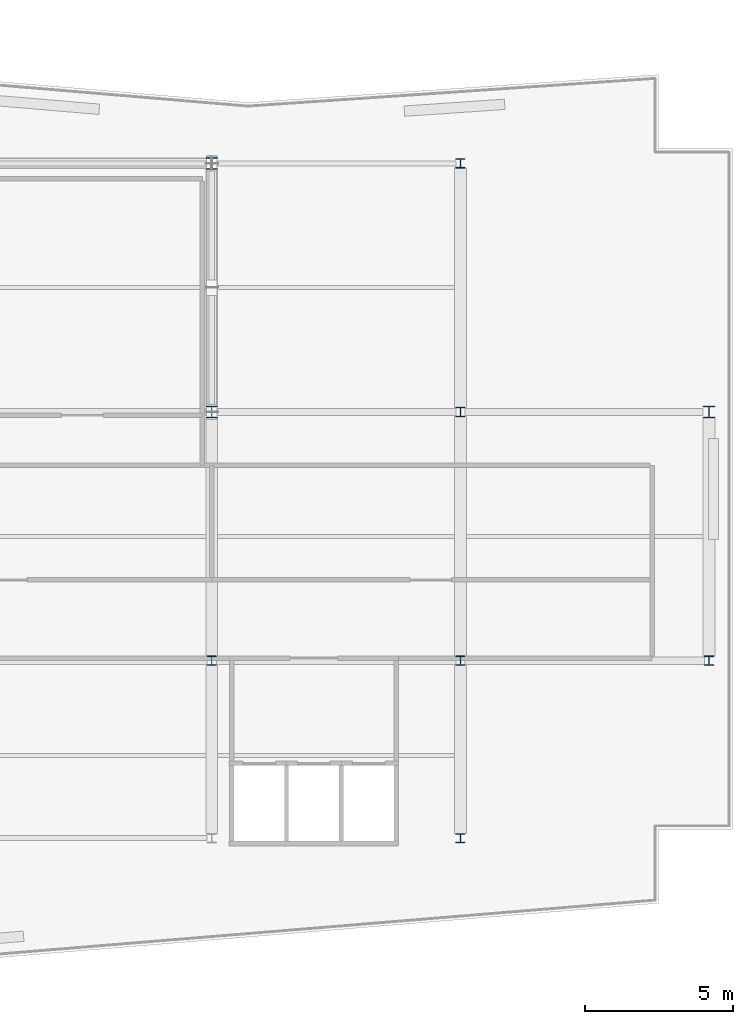
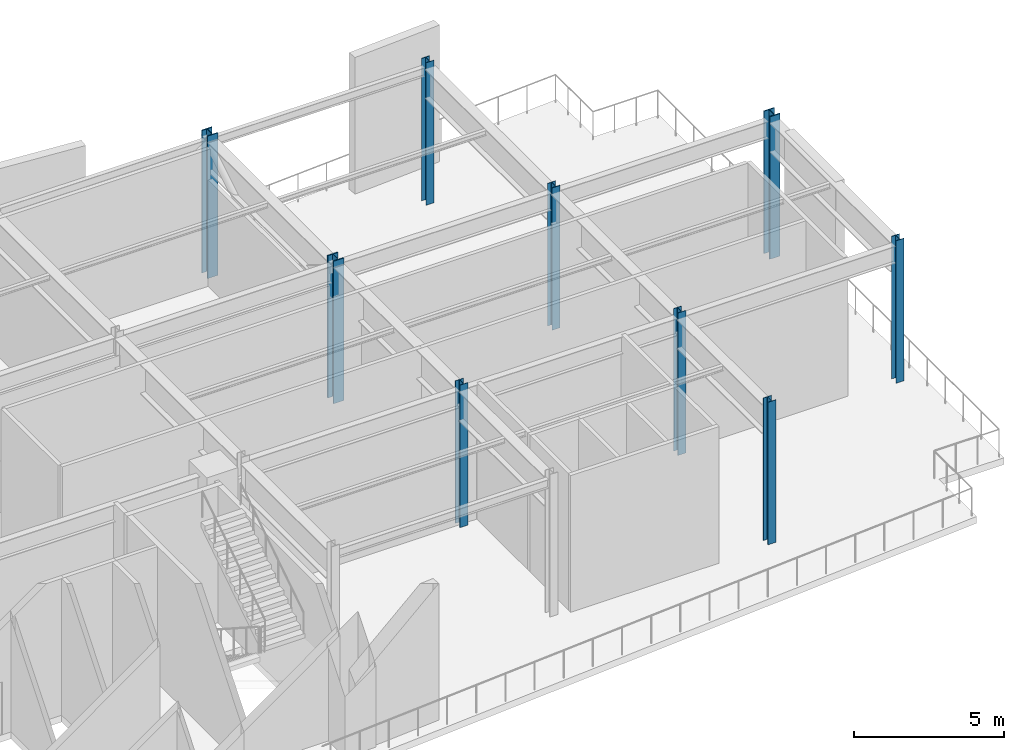
# One storey, part 2 of 13: 9 columns.
"""IFC4 building model written with IfcOpenShell, lengths in metres."""

from ifc_helpers import new_model, si_unit, direction, frame, origin, origin_2d, place, context, subcontext, project, spatial, i_section, extrude, material, material_profile, profile_set, type_object, element, save


model = new_model("IFC4")

# Units and contexts
model_context = context("Model", 3, precision=1e-05, world=origin(), true_north=direction((0.0, 1.0)))
body_context = subcontext(model_context, "Body", "Model", "MODEL_VIEW")
ifc_project = project(units=[si_unit("LENGTHUNIT", "METRE"), si_unit("AREAUNIT", "SQUARE_METRE"), si_unit("VOLUMEUNIT", "CUBIC_METRE"), si_unit("PLANEANGLEUNIT", "RADIAN"), si_unit("MASSUNIT", "GRAM", prefix="KILO")], contexts=[model_context])

# Site, building, storey
site_placement = place(None, origin())
site = spatial("IfcSite", under=ifc_project, at=site_placement, CompositionType="ELEMENT")
building_placement = place(site_placement, origin())
building = spatial("IfcBuilding", under=site, at=building_placement, Name="Varnakote Quay Hospital", CompositionType="ELEMENT")
storey_placement = place(building_placement, frame((0.0, 0.0, 174.449951171875)))
storey = spatial("IfcBuildingStorey", under=building, at=storey_placement, Name="L43", CompositionType="ELEMENT", Elevation=174.449951171875)

# Columns
ifc_material_1 = material(Name="Structural steel AS/NZS 3679.1 Grade 350 L0 (fy 340 MPa)", Category="steel")
ifc_material_profile_1 = material_profile(ifc_material_1, i_section(OverallWidth=0.306884765625, OverallDepth=0.31494140625, WebThickness=0.011962890625, FlangeThickness=0.018798828125, FilletRadius=0.0166015625, at=origin_2d()), Name="310UC118")
ifc_profile_set_1 = profile_set([ifc_material_profile_1], Name="Structural steel AS/NZS 3679.1 Grade 350 L0 (fy 340 MPa)")
column_type_1 = type_object("IfcColumnType", Name="COL-STL-310UC118", PredefinedType="COLUMN", material=ifc_profile_set_1)
for number, where, z_axis, x_axis, name in (
    (1, (42.0, 6.0, 0.0), (0.0, 0.0, 1.0), (1.0, 0.0, 0.0), "L43 Structural Column C-42-6"),
    (2, (33.60009765625, 12.0, 0.0), (0.0, 0.0, 1.0), (1.0, 0.0, 0.0), "L43 Structural Column C-34-12"),
    (3, (42.0, 12.0, 0.0), (0.0, 0.0, 1.0), (1.0, 0.0, 0.0), "L43 Structural Column C-42-12"),
    (4, (50.39990234375, 12.0, 0.0), (0.0, 0.0, 1.0), (1.0, 0.0, 0.0), "L43 Structural Column C-50-12"),
    (5, (42.0, 20.39990234375, 0.0), (0.0, 0.0, 1.0), (1.0, 0.0, 0.0), "L43 Structural Column C-42-20"),
    (6, (42.0, 28.800048828125, 0.0), (0.0, 0.0, 1.0), (1.0, 0.0, 0.0), "L43 Structural Column C-42-29"),
):
    element("IfcColumn", number, at=place(storey_placement, frame(where, z_axis=z_axis, x_axis=x_axis)), inside=storey, type_object=column_type_1, Name=name, PredefinedType="COLUMN", context=body_context, shape_type="SweptSolid", body=[
        extrude(i_section(OverallWidth=0.306884765625, OverallDepth=0.31494140625, WebThickness=0.011962890625, FlangeThickness=0.018798828125, FilletRadius=0.0166015625, at=origin_2d()), origin(), (0.0, 0.0, 1.0), 5.800048828125),
    ])
ifc_material_2 = material(Name="Structural steel AS/NZS 3678 Grade 350 (fy 340 MPa)", Category="steel")
ifc_material_profile_2 = material_profile(ifc_material_2, i_section(OverallWidth=0.39990234375, OverallDepth=0.419921875, WebThickness=0.02490234375, FlangeThickness=0.0400390625, at=origin_2d()), Name="400WC328")
ifc_profile_set_2 = profile_set([ifc_material_profile_2], Name="Structural steel AS/NZS 3678 Grade 350 (fy 340 MPa)")
column_type_2 = type_object("IfcColumnType", Name="COL-STL-400WC328", PredefinedType="COLUMN", material=ifc_profile_set_2)
for number, where, z_axis, x_axis, name in (
    (7, (33.60009765625, 20.39990234375, 0.0), (0.0, 0.0, 1.0), (1.0, 0.0, 0.0), "L43 Structural Column C-34-20"),
    (8, (50.39990234375, 20.39990234375, 0.0), (0.0, 0.0, 1.0), (1.0, 0.0, 0.0), "L43 Structural Column C-50-20"),
    (9, (33.60009765625, 28.800048828125, 0.0), (0.0, 0.0, 1.0), (1.0, 0.0, 0.0), "L43 Structural Column C-34-29"),
):
    element("IfcColumn", number, at=place(storey_placement, frame(where, z_axis=z_axis, x_axis=x_axis)), inside=storey, type_object=column_type_2, Name=name, PredefinedType="COLUMN", context=body_context, shape_type="SweptSolid", body=[
        extrude(i_section(OverallWidth=0.39990234375, OverallDepth=0.419921875, WebThickness=0.02490234375, FlangeThickness=0.0400390625, at=origin_2d()), origin(), (0.0, 0.0, 1.0), 5.800048828125),
    ])

save(model, "model.ifc")
